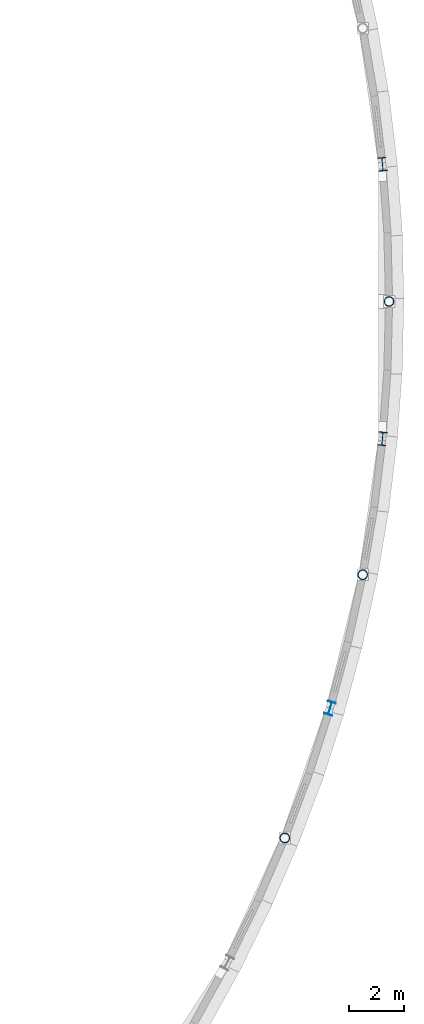
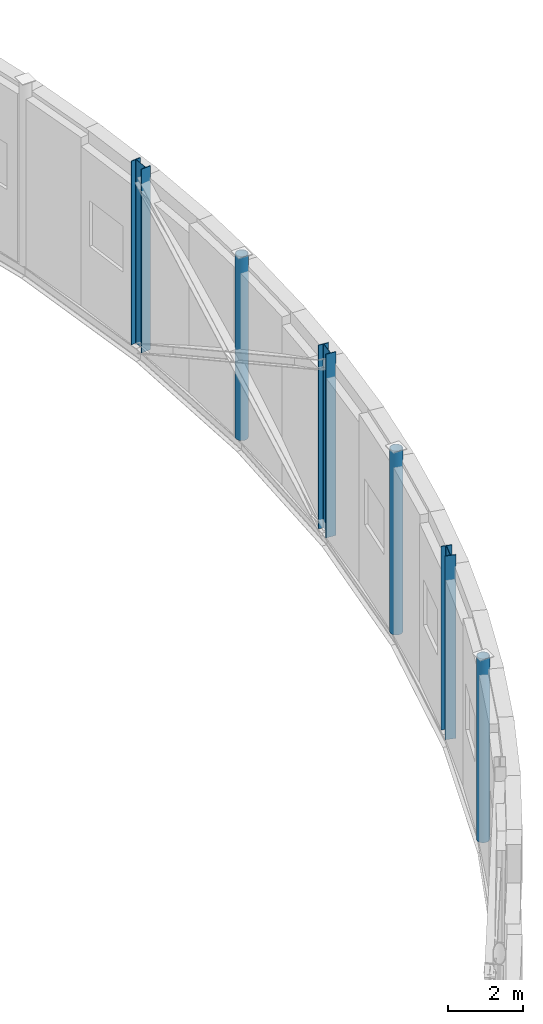
# One storey, part 4 of 104: 6 columns.
"""IFC4 building model written with IfcOpenShell, lengths in metres."""

from ifc_helpers import new_model, si_unit, direction, frame, origin, origin_2d, place, context, subcontext, project, spatial, hollow_circle, i_section, extrude, material, material_profile, profile_set, type_object, element, save


model = new_model("IFC4")

# Units and contexts
model_context = context("Model", 3, precision=1e-05, world=origin(), true_north=direction((0.0, 1.0)))
body_context = subcontext(model_context, "Body", "Model", "MODEL_VIEW")
ifc_project = project(units=[si_unit("LENGTHUNIT", "METRE"), si_unit("AREAUNIT", "SQUARE_METRE"), si_unit("VOLUMEUNIT", "CUBIC_METRE"), si_unit("PLANEANGLEUNIT", "RADIAN"), si_unit("MASSUNIT", "GRAM", prefix="KILO")], contexts=[model_context])

# Site, building, storey
site_placement = place(None, origin())
site = spatial("IfcSite", under=ifc_project, at=site_placement, CompositionType="ELEMENT")
building_placement = place(site_placement, origin())
building = spatial("IfcBuilding", under=site, at=building_placement, Name="Vanh Quang Courtyard School", CompositionType="ELEMENT")
storey_placement = place(building_placement, frame((0.0, 0.0, 4.199951171875)))
storey = spatial("IfcBuildingStorey", under=building, at=storey_placement, Name="L01", CompositionType="ELEMENT", Elevation=4.199951171875)

# Columns
ifc_material = material(Name="Structural steel EN 10025-2 S355J2", Category="steel")
ifc_material_profile_1 = material_profile(ifc_material, hollow_circle(Radius=0.177734375, WallThickness=0.01611328125, at=origin_2d()), Name="CHS 355.6x16")
ifc_profile_set_1 = profile_set([ifc_material_profile_1], Name="Structural steel EN 10025-2 S355J2")
column_type_1 = type_object("IfcColumnType", Name="COL-STL-CHS355", PredefinedType="COLUMN", material=ifc_profile_set_1)
for number, where, z_axis, x_axis, name in (
    (1, (160.213623046875, 36.5205078125, 0.0), (0.0, 0.0, 1.0), (1.0, 0.0, 0.0), "Column CS-05 (L01)"),
    (2, (163.044677734375, 46.077880859375, 0.0), (0.0, 0.0, 1.0), (1.0, 0.0, 0.0), "Column CS-05 (L01)"),
    (3, (164.0, 56.0, 0.0), (0.0, 0.0, 1.0), (1.0, 0.0, 0.0), "Column CS-05 (L01)"),
):
    element("IfcColumn", number, at=place(storey_placement, frame(where, z_axis=z_axis, x_axis=x_axis)), inside=storey, type_object=column_type_1, Name=name, PredefinedType="COLUMN", context=body_context, shape_type="SweptSolid", body=[
        extrude(hollow_circle(Radius=0.177734375, WallThickness=0.01611328125, at=origin_2d()), origin(), (0.0, 0.0, 1.0), 6.0),
    ])
ifc_material_profile_2 = material_profile(ifc_material, i_section(OverallWidth=0.300048828125, OverallDepth=0.489990234375, WebThickness=0.011962890625, FlangeThickness=0.02294921875, FilletRadius=0.027099609375, at=origin_2d()), Name="HEA 500")
ifc_profile_set_2 = profile_set([ifc_material_profile_2], Name="Structural steel EN 10025-2 S355J2")
column_type_2 = type_object("IfcColumnType", Name="COL-STL-HEA500", PredefinedType="COLUMN", material=ifc_profile_set_2)
for number, where, z_axis, x_axis, name in (
    (4, (161.858642578125, 41.231201171875, 0.0), (0.0, 0.0, 1.0), (0.958819734868, -0.284015344704, 0.0), "Column CS-01 (L01)"),
    (5, (163.760498046875, 51.01611328125, 0.0), (0.0, 0.0, 1.0), (0.995396198367, -0.09584575252, 0.0), "Column CS-01 (L01)"),
    (6, (163.760498046875, 60.98388671875, 0.0), (0.0, 0.0, 1.0), (0.995396198367, 0.09584575252, 0.0), "Column CS-01 (L01)"),
):
    element("IfcColumn", number, at=place(storey_placement, frame(where, z_axis=z_axis, x_axis=x_axis)), inside=storey, type_object=column_type_2, Name=name, PredefinedType="COLUMN", context=body_context, shape_type="SweptSolid", body=[
        extrude(i_section(OverallWidth=0.300048828125, OverallDepth=0.489990234375, WebThickness=0.011962890625, FlangeThickness=0.02294921875, FilletRadius=0.027099609375, at=origin_2d()), origin(), (0.0, 0.0, 1.0), 6.0),
    ])

save(model, "model.ifc")
